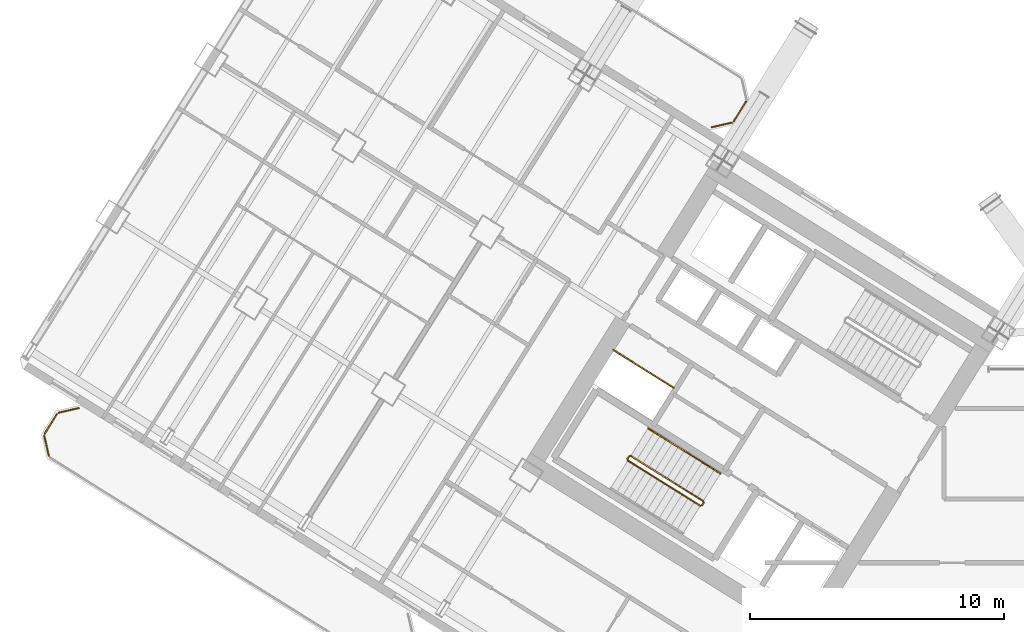
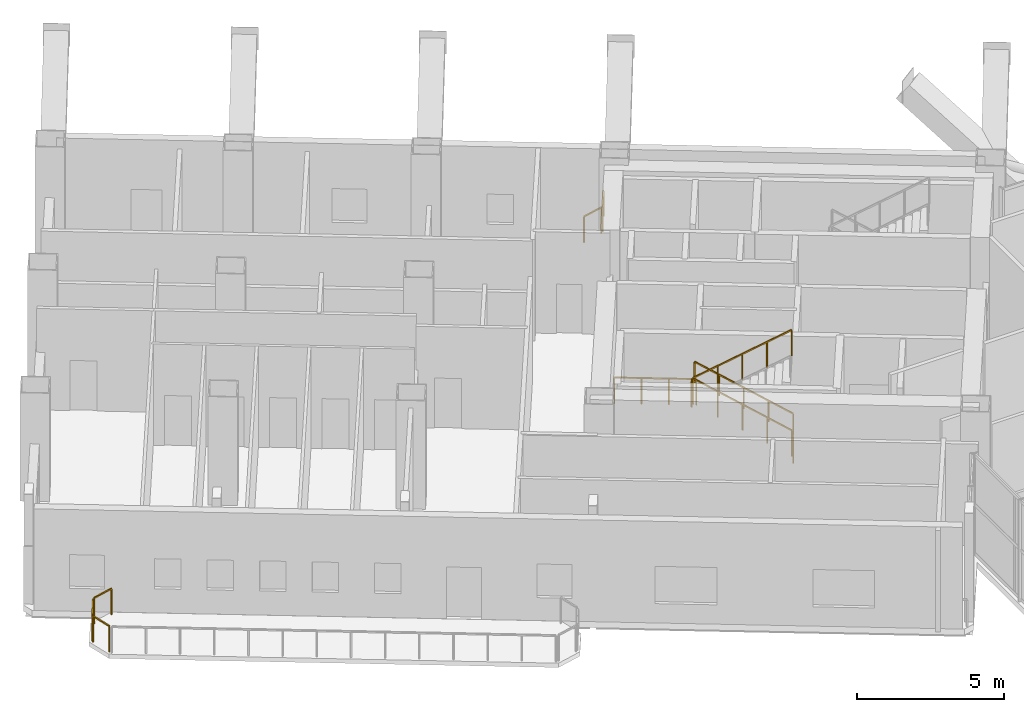
# One storey, part 28 of 30: 12 railings.
"""IFC4 building model written with IfcOpenShell, lengths in metres."""

from ifc_helpers import new_model, si_unit, direction, frame, origin, origin_2d, place, context, subcontext, project, spatial, rectangle, extrude, source, transform, mapped, material, type_object, element, save


model = new_model("IFC4")

# Units and contexts
model_context = context("Model", 3, precision=1e-05, world=origin(), true_north=direction((0.0, 1.0)))
body_context = subcontext(model_context, "Body", "Model", "MODEL_VIEW")
ifc_project = project(units=[si_unit("LENGTHUNIT", "METRE"), si_unit("AREAUNIT", "SQUARE_METRE"), si_unit("VOLUMEUNIT", "CUBIC_METRE"), si_unit("PLANEANGLEUNIT", "RADIAN"), si_unit("MASSUNIT", "GRAM", prefix="KILO")], contexts=[model_context])

# Site, building, storey
site_placement = place(None, origin())
site = spatial("IfcSite", under=ifc_project, at=site_placement, CompositionType="ELEMENT")
building_placement = place(site_placement, origin())
building = spatial("IfcBuilding", under=site, at=building_placement, Name="Tlacorven Tower", CompositionType="ELEMENT")
storey_placement = place(building_placement, frame((0.0, 0.0, 67.199951171875)))
storey = spatial("IfcBuildingStorey", under=building, at=storey_placement, Name="L17", CompositionType="ELEMENT", Elevation=67.199951171875)

# Railings
ifc_material = material(Name="Aluminium and painted steel balustrade", Category="steel")
railing_type_1 = type_object("IfcRailingType", Name="RL-GRD-1100", PredefinedType="GUARDRAIL", material=ifc_material)
shared_shape_1 = source(origin(), body_context, "Body", "SweptSolid", [
    extrude(rectangle(XDim=0.048095703125, YDim=0.048095703125, at=origin_2d()), frame((0.0, 0.0, 1.076171875), z_axis=(-0.848091358275, 0.529850024081, 0.0), x_axis=(-0.529850024081, -0.848091358275, 0.0)), (0.0, 0.0, 1.0), 2.800048828125),
    extrude(rectangle(XDim=0.0419921875, YDim=0.0419921875, at=origin_2d()), origin(), (0.0, 0.0, 1.0), 1.052001953125),
    extrude(rectangle(XDim=0.0419921875, YDim=0.0419921875, at=origin_2d()), frame((-0.79150390625, 0.49462890625, 0.0)), (0.0, 0.0, 1.0), 1.052001953125),
    extrude(rectangle(XDim=0.0419921875, YDim=0.0419921875, at=origin_2d()), frame((-1.583251953125, 0.989013671875, 0.0)), (0.0, 0.0, 1.0), 1.052001953125),
    extrude(rectangle(XDim=0.0419921875, YDim=0.0419921875, at=origin_2d()), frame((-2.374755859375, 1.483642578125, 0.0)), (0.0, 0.0, 1.0), 1.052001953125),
])
railing_1_placement = place(storey_placement, frame((27.9912109375, 22.32080078125, 0.0)))
element("IfcRailing", 1, at=railing_1_placement, inside=storey, type_object=railing_type_1, Name="L17 Electrical Riser W Shaft Guard 1", PredefinedType="GUARDRAIL", context=body_context, shape_type="MappedRepresentation", body=[
    mapped(shared_shape_1, transform((0.0, 0.0, 0.0), scale=1.0)),
])
railing_type_2 = type_object("IfcRailingType", Name="RL-BAL-1100", PredefinedType="BALUSTRADE", material=ifc_material)
shared_shape_2 = source(origin(), body_context, "Body", "SweptSolid", [
    extrude(rectangle(XDim=0.048095703125, YDim=0.048095703125, at=origin_2d()), frame((0.0, 0.0, 1.076171875), z_axis=(-0.52987865805, -0.848073468364, 0.0), x_axis=(0.848073468364, -0.52987865805, 0.0)), (0.0, 0.0, 1.0), 0.912353515625),
    extrude(rectangle(XDim=0.0419921875, YDim=0.0419921875, at=origin_2d()), origin(), (0.0, 0.0, 1.0), 1.052001953125),
    extrude(rectangle(XDim=0.0419921875, YDim=0.0419921875, at=origin_2d()), frame((-0.4833984375, -0.773681640625, 0.0)), (0.0, 0.0, 1.0), 1.052001953125),
])
railing_2_placement = place(storey_placement, frame((30.845947265625, 33.588623046875, 0.0)))
element("IfcRailing", 2, at=railing_2_placement, inside=storey, type_object=railing_type_2, Name="BAL-L17-W-IN Guard Railing 2", PredefinedType="BALUSTRADE", context=body_context, shape_type="MappedRepresentation", body=[
    mapped(shared_shape_2, transform((0.0, 0.0, 0.0), scale=1.0)),
])
shared_shape_3 = source(origin(), body_context, "Body", "SweptSolid", [
    extrude(rectangle(XDim=0.048095703125, YDim=0.048095703125, at=origin_2d()), frame((0.0, 0.0, 1.076171875), z_axis=(-0.225058334816, 0.974345290916, 0.0), x_axis=(-0.974345290916, -0.225058334816, 0.0)), (0.0, 0.0, 1.0), 0.80712890625),
    extrude(rectangle(XDim=0.0419921875, YDim=0.0419921875, at=origin_2d()), origin(), (0.0, 0.0, 1.0), 1.052001953125),
    extrude(rectangle(XDim=0.0419921875, YDim=0.0419921875, at=origin_2d()), frame((-0.181640625, 0.786376953125, 0.0)), (0.0, 0.0, 1.0), 1.052001953125),
])
railing_3_placement = place(storey_placement, frame((3.380859375, 19.62841796875, 0.0)))
element("IfcRailing", 3, at=railing_3_placement, inside=storey, type_object=railing_type_2, Name="BAL-L17-W-OUT Guard Railing 5", PredefinedType="BALUSTRADE", context=body_context, shape_type="MappedRepresentation", body=[
    mapped(shared_shape_3, transform((0.0, 0.0, 0.0), scale=1.0)),
])
shared_shape_4 = source(origin(), body_context, "Body", "SweptSolid", [
    extrude(rectangle(XDim=0.048095703125, YDim=0.048095703125, at=origin_2d()), frame((0.0, 0.0, 1.076171875), z_axis=(0.52987865805, 0.848073468364, 0.0), x_axis=(-0.848073468364, 0.52987865805, 0.0)), (0.0, 0.0, 1.0), 0.912353515625),
    extrude(rectangle(XDim=0.0419921875, YDim=0.0419921875, at=origin_2d()), origin(), (0.0, 0.0, 1.0), 1.052001953125),
    extrude(rectangle(XDim=0.0419921875, YDim=0.0419921875, at=origin_2d()), frame((0.4833984375, 0.773681640625, 0.0)), (0.0, 0.0, 1.0), 1.052001953125),
])
railing_4_placement = place(storey_placement, frame((3.214599609375, 20.505859375, 0.0)))
element("IfcRailing", 4, at=railing_4_placement, inside=storey, type_object=railing_type_2, Name="BAL-L17-W-OUT Guard Railing 6", PredefinedType="BALUSTRADE", context=body_context, shape_type="MappedRepresentation", body=[
    mapped(shared_shape_4, transform((0.0, 0.0, 0.0), scale=1.0)),
])
shared_shape_5 = source(origin(), body_context, "Body", "SweptSolid", [
    extrude(rectangle(XDim=0.048095703125, YDim=0.048095703125, at=origin_2d()), frame((0.0, 0.0, 1.076171875), z_axis=(0.974345290916, 0.225058334816, 0.0), x_axis=(-0.225058334816, 0.974345290916, 0.0)), (0.0, 0.0, 1.0), 0.80712890625),
    extrude(rectangle(XDim=0.0419921875, YDim=0.0419921875, at=origin_2d()), origin(), (0.0, 0.0, 1.0), 1.052001953125),
    extrude(rectangle(XDim=0.0419921875, YDim=0.0419921875, at=origin_2d()), frame((0.786376953125, 0.181640625, 0.0)), (0.0, 0.0, 1.0), 1.052001953125),
])
railing_5_placement = place(storey_placement, frame((3.773193359375, 21.3330078125, 0.0)))
element("IfcRailing", 5, at=railing_5_placement, inside=storey, type_object=railing_type_2, Name="BAL-L17-W-OUT Guard Railing 7", PredefinedType="BALUSTRADE", context=body_context, shape_type="MappedRepresentation", body=[
    mapped(shared_shape_5, transform((0.0, 0.0, 0.0), scale=1.0)),
])
shared_shape_6 = source(origin(), body_context, "Body", "SweptSolid", [
    extrude(rectangle(XDim=0.048095703125, YDim=0.048095703125, at=origin_2d()), frame((0.0, 0.0, 1.076171875), z_axis=(-0.974345290916, -0.225058334816, 0.0), x_axis=(0.225058334816, -0.974345290916, 0.0)), (0.0, 0.0, 1.0), 0.80712890625),
    extrude(rectangle(XDim=0.0419921875, YDim=0.0419921875, at=origin_2d()), origin(), (0.0, 0.0, 1.0), 1.052001953125),
    extrude(rectangle(XDim=0.0419921875, YDim=0.0419921875, at=origin_2d()), frame((-0.786376953125, -0.181640625, 0.0)), (0.0, 0.0, 1.0), 1.052001953125),
])
railing_6_placement = place(storey_placement, frame((30.287353515625, 32.761474609375, 0.0)))
element("IfcRailing", 6, at=railing_6_placement, inside=storey, type_object=railing_type_2, Name="BAL-L17-W-IN Guard Railing 3", PredefinedType="BALUSTRADE", context=body_context, shape_type="MappedRepresentation", body=[
    mapped(shared_shape_6, transform((0.0, 0.0, 0.0), scale=1.0)),
])
shared_shape_7 = source(origin(), body_context, "Body", "SweptSolid", [
    extrude(rectangle(XDim=0.048095703125, YDim=0.048095703125, at=origin_2d()), frame((0.0, 0.0, 1.076171875), z_axis=(-0.529084052582, -0.848569422795, 0.0), x_axis=(0.848569422795, -0.529084052582, 0.0)), (0.0, 0.0, 1.0), 0.119873046875),
    extrude(rectangle(XDim=0.0419921875, YDim=0.0419921875, at=origin_2d()), origin(), (0.0, 0.0, 1.0), 1.052001953125),
    extrude(rectangle(XDim=0.0419921875, YDim=0.0419921875, at=origin_2d()), frame((-0.0634765625, -0.101806640625, 0.0)), (0.0, 0.0, 1.0), 1.052001953125),
])
railing_7_placement = place(storey_placement, frame((29.176513671875, 17.782958984375, 0.0)))
element("IfcRailing", 7, at=railing_7_placement, inside=storey, type_object=railing_type_1, Name="L17 ST-W1 stair guard 4", PredefinedType="GUARDRAIL", context=body_context, shape_type="MappedRepresentation", body=[
    mapped(shared_shape_7, transform((0.0, 0.0, 0.0), scale=1.0)),
])
shared_shape_8 = source(origin(), body_context, "Body", "SweptSolid", [
    extrude(rectangle(XDim=0.048095703125, YDim=0.048095703125, at=origin_2d()), frame((0.0, 0.0, 1.076171875), z_axis=(-0.530546985787, -0.847655529016, 0.0), x_axis=(0.847655529016, -0.530546985787, 0.0)), (0.0, 0.0, 1.0), 0.1201171875),
    extrude(rectangle(XDim=0.0419921875, YDim=0.0419921875, at=origin_2d()), origin(), (0.0, 0.0, 1.0), 1.052001953125),
    extrude(rectangle(XDim=0.0419921875, YDim=0.0419921875, at=origin_2d()), frame((-0.063720703125, -0.101806640625, 0.0)), (0.0, 0.0, 1.0), 1.052001953125),
])
railing_8_placement = place(storey_placement, frame((26.242431640625, 19.616455078125, 2.25)))
element("IfcRailing", 8, at=railing_8_placement, inside=storey, type_object=railing_type_1, Name="L17 ST-W1 stair guard 2", PredefinedType="GUARDRAIL", context=body_context, shape_type="MappedRepresentation", body=[
    mapped(shared_shape_8, transform((0.0, 0.0, 0.0), scale=1.0)),
])
shared_shape_9 = source(origin(), body_context, "Body", "SweptSolid", [
    extrude(rectangle(XDim=0.048095703125, YDim=0.048095703125, at=origin_2d()), frame((0.0, 0.0, 1.076171875), z_axis=(-0.721354668439, 0.45076168254, 0.525795918465), x_axis=(-0.529927092104, -0.84804320471, 0.0)), (0.0, 0.0, 1.0), 3.949951171875),
    extrude(rectangle(XDim=0.0419921875, YDim=0.0419921875, at=origin_2d()), origin(), (0.0, 0.0, 1.0), 1.052001953125),
    extrude(rectangle(XDim=0.0419921875, YDim=0.0419921875, at=origin_2d()), frame((-0.71240234375, 0.445068359375, 0.519287109375)), (0.0, 0.0, 1.0), 1.052001953125),
    extrude(rectangle(XDim=0.0419921875, YDim=0.0419921875, at=origin_2d()), frame((-1.4248046875, 0.89013671875, 1.03857421875)), (0.0, 0.0, 1.0), 1.052001953125),
    extrude(rectangle(XDim=0.0419921875, YDim=0.0419921875, at=origin_2d()), frame((-2.136962890625, 1.33544921875, 1.5576171875)), (0.0, 0.0, 1.0), 1.052001953125),
    extrude(rectangle(XDim=0.0419921875, YDim=0.0419921875, at=origin_2d()), frame((-2.849365234375, 1.780517578125, 2.076904296875)), (0.0, 0.0, 1.0), 1.052001953125),
])
railing_9_placement = place(storey_placement, frame((29.16064453125, 17.851806640625, 0.173095703125)))
element("IfcRailing", 9, at=railing_9_placement, inside=storey, type_object=railing_type_1, Name="L17 ST-W1 stair guard 1", PredefinedType="GUARDRAIL", context=body_context, shape_type="MappedRepresentation", body=[
    mapped(shared_shape_9, transform((0.0, 0.0, 0.0), scale=1.0)),
])
shared_shape_10 = source(origin(), body_context, "Body", "SweptSolid", [
    extrude(rectangle(XDim=0.048095703125, YDim=0.048095703125, at=origin_2d()), frame((0.0, 0.0, 1.076171875), z_axis=(0.721384312238, -0.450741585774, 0.525772476372), x_axis=(0.52989443915, 0.848063608085, 0.0)), (0.0, 0.0, 1.0), 3.9501953125),
    extrude(rectangle(XDim=0.0419921875, YDim=0.0419921875, at=origin_2d()), origin(), (0.0, 0.0, 1.0), 1.052001953125),
    extrude(rectangle(XDim=0.0419921875, YDim=0.0419921875, at=origin_2d()), frame((0.71240234375, -0.445068359375, 0.519287109375)), (0.0, 0.0, 1.0), 1.052001953125),
    extrude(rectangle(XDim=0.0419921875, YDim=0.0419921875, at=origin_2d()), frame((1.4248046875, -0.89013671875, 1.03857421875)), (0.0, 0.0, 1.0), 1.052001953125),
    extrude(rectangle(XDim=0.0419921875, YDim=0.0419921875, at=origin_2d()), frame((2.13720703125, -1.33544921875, 1.5576171875)), (0.0, 0.0, 1.0), 1.052001953125),
    extrude(rectangle(XDim=0.0419921875, YDim=0.0419921875, at=origin_2d()), frame((2.849609375, -1.780517578125, 2.076904296875)), (0.0, 0.0, 1.0), 1.052001953125),
])
railing_10_placement = place(storey_placement, frame((26.194580078125, 19.44580078125, 2.423095703125)))
element("IfcRailing", 10, at=railing_10_placement, inside=storey, type_object=railing_type_1, Name="L17 ST-W1 stair guard 3", PredefinedType="GUARDRAIL", context=body_context, shape_type="MappedRepresentation", body=[
    mapped(shared_shape_10, transform((0.0, 0.0, 0.0), scale=1.0)),
])
railing_type_3 = type_object("IfcRailingType", Name="RL-HND-0900", PredefinedType="HANDRAIL", material=ifc_material)
shared_shape_11 = source(origin(), body_context, "Body", "SweptSolid", [
    extrude(rectangle(XDim=0.048095703125, YDim=0.048095703125, at=origin_2d()), frame((0.0, 0.0, 0.8759765625), z_axis=(-0.721340775611, 0.4507761838, 0.52580254617), x_axis=(-0.529946692594, -0.848030956397, 0.0)), (0.0, 0.0, 1.0), 1.97509765625),
    extrude(rectangle(XDim=0.0419921875, YDim=0.0419921875, at=origin_2d()), origin(), (0.0, 0.0, 1.0), 0.851806640625),
    extrude(rectangle(XDim=0.0419921875, YDim=0.0419921875, at=origin_2d()), frame((-0.71240234375, 0.4453125, 0.519287109375)), (0.0, 0.0, 1.0), 0.851806640625),
    extrude(rectangle(XDim=0.0419921875, YDim=0.0419921875, at=origin_2d()), frame((-1.4248046875, 0.890380859375, 1.03857421875)), (0.0, 0.0, 1.0), 0.851806640625),
])
railing_11_placement = place(storey_placement, frame((29.839111328125, 18.937255859375, 0.173095703125)))
element("IfcRailing", 11, at=railing_11_placement, inside=storey, type_object=railing_type_3, Name="L17 ST-W1 stair handrail 1", PredefinedType="HANDRAIL", context=body_context, shape_type="MappedRepresentation", body=[
    mapped(shared_shape_11, transform((0.0, 0.0, 0.0), scale=1.0)),
])
shared_shape_12 = source(origin(), body_context, "Body", "SweptSolid", [
    extrude(rectangle(XDim=0.048095703125, YDim=0.048095703125, at=origin_2d()), frame((0.0, 0.0, 0.8759765625), z_axis=(-0.721427851237, 0.45070698177, 0.525742400842), x_axis=(-0.52984217967, -0.848096259066, 0.0)), (0.0, 0.0, 1.0), 1.97509765625),
    extrude(rectangle(XDim=0.0419921875, YDim=0.0419921875, at=origin_2d()), origin(), (0.0, 0.0, 1.0), 0.851806640625),
    extrude(rectangle(XDim=0.0419921875, YDim=0.0419921875, at=origin_2d()), frame((-0.71240234375, 0.445068359375, 0.51904296875)), (0.0, 0.0, 1.0), 0.851806640625),
    extrude(rectangle(XDim=0.0419921875, YDim=0.0419921875, at=origin_2d()), frame((-1.4248046875, 0.89013671875, 1.038330078125)), (0.0, 0.0, 1.0), 0.851806640625),
])
railing_12_placement = place(storey_placement, frame((28.414306640625, 19.82763671875, 1.211669921875)))
element("IfcRailing", 12, at=railing_12_placement, inside=storey, type_object=railing_type_3, Name="L17 ST-W1 stair handrail 2", PredefinedType="HANDRAIL", context=body_context, shape_type="MappedRepresentation", body=[
    mapped(shared_shape_12, transform((0.0, 0.0, 0.0), scale=1.0)),
])

save(model, "model.ifc")
